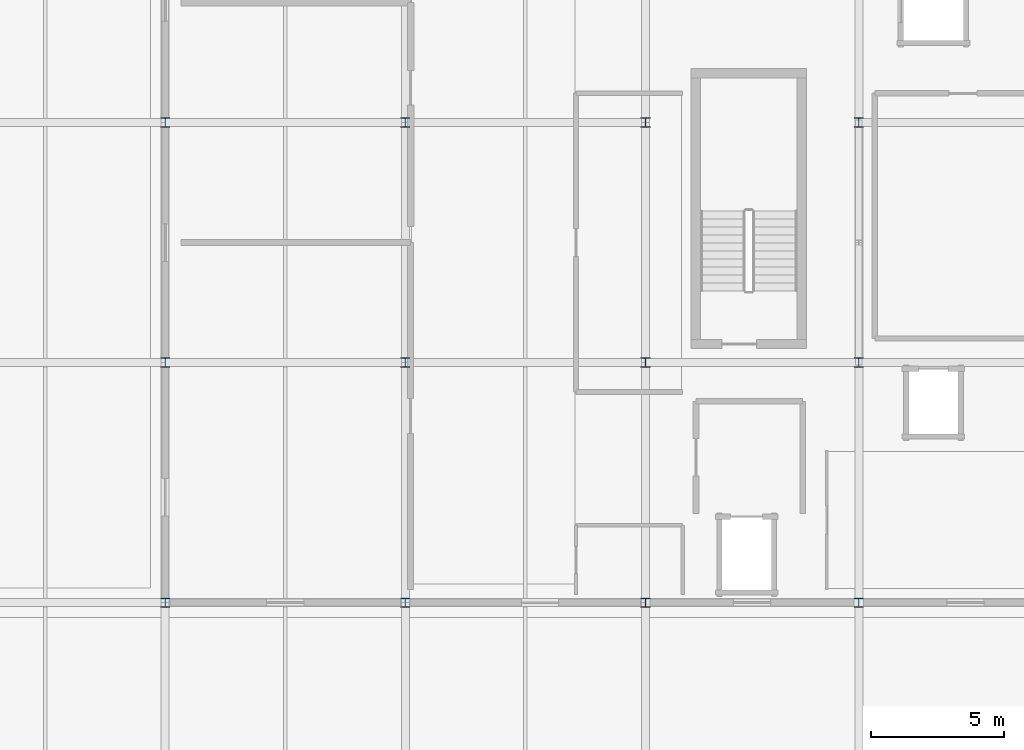
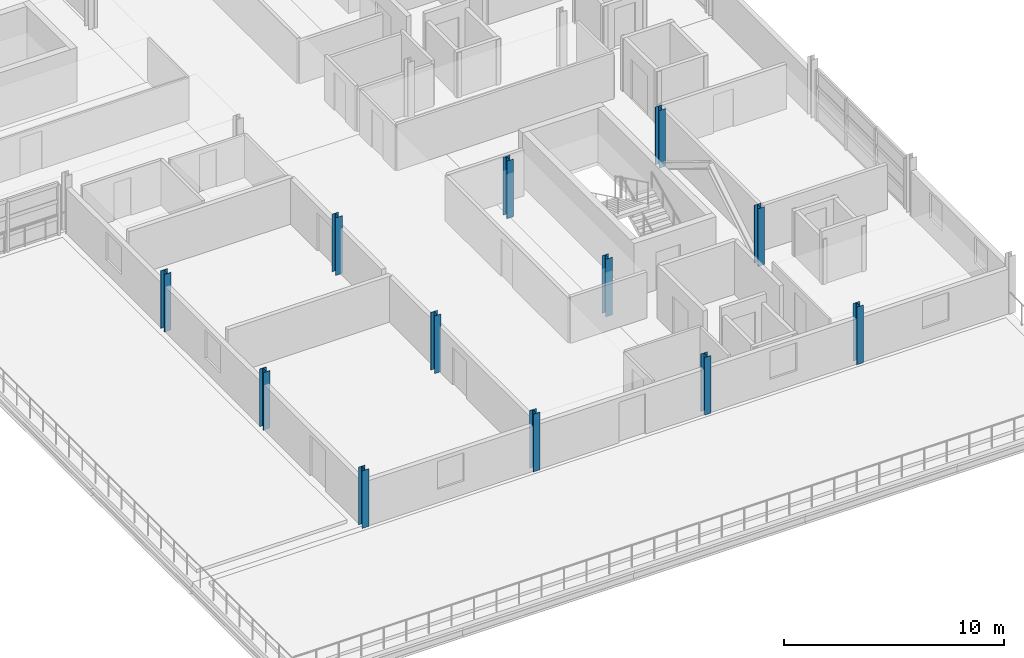
# One storey, part 1 of 30: 12 columns.
"""IFC4 building model written with IfcOpenShell, lengths in metres."""

from ifc_helpers import new_model, si_unit, direction, frame, origin, origin_2d, place, context, subcontext, project, spatial, i_section, extrude, material, material_profile, profile_set, type_object, element, save


model = new_model("IFC4")

# Units and contexts
model_context = context("Model", 3, precision=1e-05, world=origin(), true_north=direction((0.0, 1.0)))
body_context = subcontext(model_context, "Body", "Model", "MODEL_VIEW")
ifc_project = project(units=[si_unit("LENGTHUNIT", "METRE"), si_unit("AREAUNIT", "SQUARE_METRE"), si_unit("VOLUMEUNIT", "CUBIC_METRE"), si_unit("PLANEANGLEUNIT", "RADIAN"), si_unit("MASSUNIT", "GRAM", prefix="KILO")], contexts=[model_context])

# Site, building, storey
site_placement = place(None, origin())
site = spatial("IfcSite", under=ifc_project, at=site_placement, CompositionType="ELEMENT")
building_placement = place(site_placement, origin())
building = spatial("IfcBuilding", under=site, at=building_placement, Name="Chuanluo Vaults Station", CompositionType="ELEMENT")
storey_placement = place(building_placement, frame((0.0, 0.0, 17.60009765625)))
storey = spatial("IfcBuildingStorey", under=building, at=storey_placement, Name="L04", CompositionType="ELEMENT", Elevation=17.60009765625)

# Columns
ifc_material = material(Name="Steel Q355C", Category="steel")
ifc_material_profile = material_profile(ifc_material, i_section(OverallWidth=0.35009765625, OverallDepth=0.35009765625, WebThickness=0.011962890625, FlangeThickness=0.01904296875, FilletRadius=0.02001953125, at=origin_2d()))
ifc_profile_set = profile_set([ifc_material_profile], Name="Steel Q355C")
column_type = type_object("IfcColumnType", Name="COL-STL-HW350", PredefinedType="COLUMN", material=ifc_profile_set)
for number, where, z_axis, x_axis, name in (
    (1, (154.0, 76.5, 0.0), (0.0, 0.0, 1.0), (1.0, 0.0, 0.0), "Column L04-117"),
    (2, (154.0, 85.5, 0.0), (0.0, 0.0, 1.0), (1.0, 0.0, 0.0), "Column L04-118"),
    (3, (154.0, 94.5, 0.0), (0.0, 0.0, 1.0), (1.0, 0.0, 0.0), "Column L04-119"),
    (4, (163.0, 76.5, 0.0), (0.0, 0.0, 1.0), (1.0, 0.0, 0.0), "Column L04-130"),
    (5, (163.0, 85.5, 0.0), (0.0, 0.0, 1.0), (1.0, 0.0, 0.0), "Column L04-131"),
    (6, (163.0, 94.5, 0.0), (0.0, 0.0, 1.0), (1.0, 0.0, 0.0), "Column L04-132"),
    (7, (172.0, 76.5, 0.0), (0.0, 0.0, 1.0), (1.0, 0.0, 0.0), "Column L04-143"),
    (8, (172.0, 85.5, 0.0), (0.0, 0.0, 1.0), (1.0, 0.0, 0.0), "Column L04-144"),
    (9, (172.0, 94.5, 0.0), (0.0, 0.0, 1.0), (1.0, 0.0, 0.0), "Column L04-145"),
    (10, (180.0, 76.5, 0.0), (0.0, 0.0, 1.0), (1.0, 0.0, 0.0), "Column L04-156"),
    (11, (180.0, 85.5, 0.0), (0.0, 0.0, 1.0), (1.0, 0.0, 0.0), "Column L04-157"),
    (12, (180.0, 94.5, 0.0), (0.0, 0.0, 1.0), (1.0, 0.0, 0.0), "Column L04-158"),
):
    element("IfcColumn", number, at=place(storey_placement, frame(where, z_axis=z_axis, x_axis=x_axis)), inside=storey, type_object=column_type, Name=name, PredefinedType="COLUMN", context=body_context, shape_type="SweptSolid", body=[
        extrude(i_section(OverallWidth=0.35009765625, OverallDepth=0.35009765625, WebThickness=0.011962890625, FlangeThickness=0.01904296875, FilletRadius=0.02001953125, at=origin_2d()), origin(), (0.0, 0.0, 1.0), 3.199951171875),
    ])

save(model, "model.ifc")
